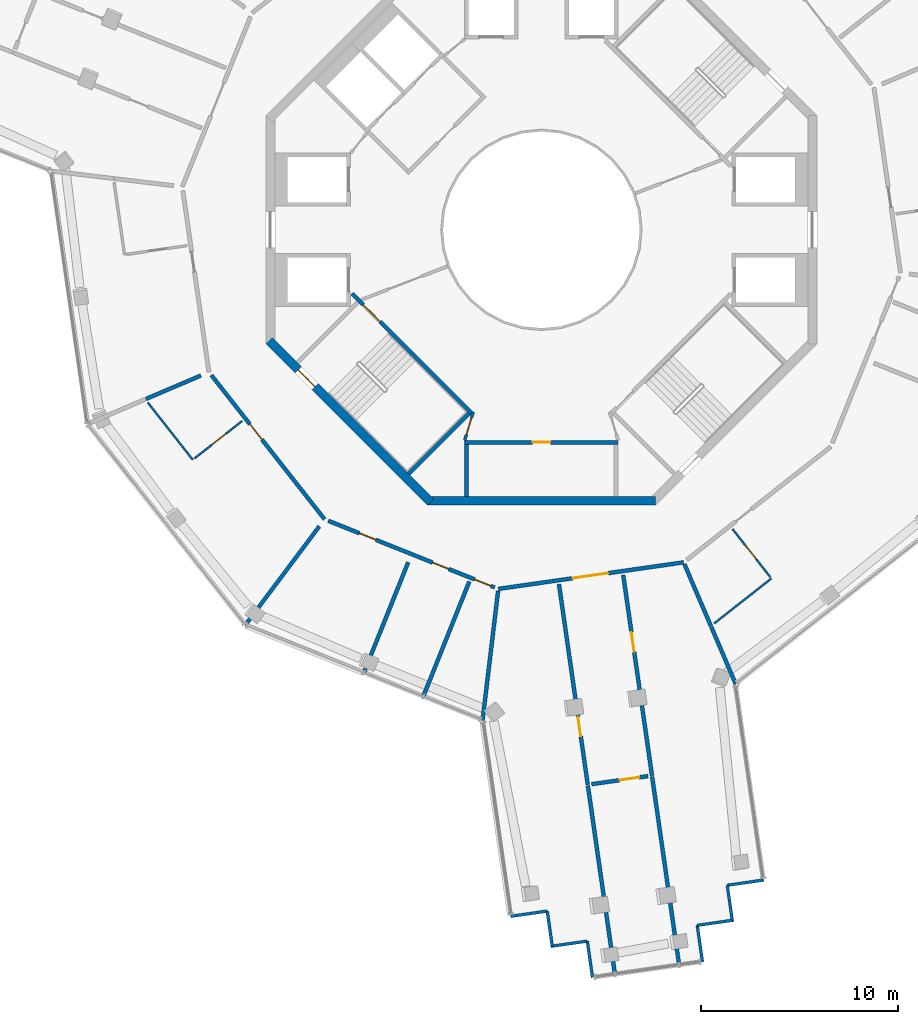
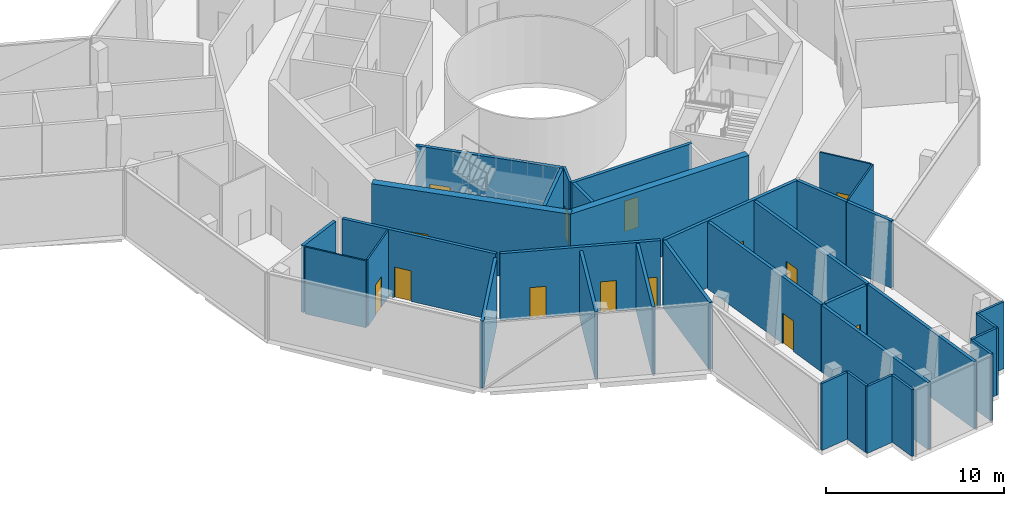
# One storey, part 10 of 19: 34 walls, 14 doors, 14 openings.
"""IFC4 building model written with IfcOpenShell, lengths in metres."""

from ifc_helpers import new_model, si_unit, direction, frame, frame_2d, origin, place, context, subcontext, project, spatial, rectangle, extrude, material, layer, layer_set, type_object, element, fill, save


model = new_model("IFC4")

# Units and contexts
model_context = context("Model", 3, precision=1e-05, world=origin(), true_north=direction((0.0, 1.0)))
body_context = subcontext(model_context, "Body", "Model", "MODEL_VIEW")
ifc_project = project(units=[si_unit("LENGTHUNIT", "METRE"), si_unit("AREAUNIT", "SQUARE_METRE"), si_unit("VOLUMEUNIT", "CUBIC_METRE"), si_unit("PLANEANGLEUNIT", "RADIAN"), si_unit("MASSUNIT", "GRAM", prefix="KILO")], contexts=[model_context])

# Site, building, storey
site_placement = place(None, origin())
site = spatial("IfcSite", under=ifc_project, at=site_placement, CompositionType="ELEMENT")
building_placement = place(site_placement, origin())
building = spatial("IfcBuilding", under=site, at=building_placement, Name="Verdalira Terraces Hotel", CompositionType="ELEMENT")
storey_placement = place(building_placement, frame((0.0, 0.0, 310.0)))
storey = spatial("IfcBuildingStorey", under=building, at=storey_placement, Name="L77", CompositionType="ELEMENT", Elevation=310.0)

# Wall
ifc_material_1 = material(Name="Moisture-resistant gypsum board partition")
ifc_layer_1 = layer(ifc_material_1, 0.10009765625)
ifc_layer_set_1 = layer_set([ifc_layer_1], Name="Bathroom partition 100 mm")
wall_type_1 = type_object("IfcWallType", Name="Bathroom partition 100 mm", PredefinedType="PARTITIONING", material=ifc_layer_set_1)
wall_1_placement = place(storey_placement, frame((-17.7229, -11.690186, 0.0), z_axis=(0.0, 0.0, 1.0), x_axis=(-0.617871038, 0.786279455, 0.0)))
element("IfcWall", 1, at=wall_1_placement, inside=storey, type_object=wall_type_1, Name="Bathroom partition", PredefinedType="PARTITIONING", context=body_context, shape_type="SweptSolid", body=[
    extrude(rectangle(XDim=3.703857, YDim=0.100098, at=frame_2d((1.852051, 0.0))), origin(), (0.0, 0.0, 1.0), 4.600098),
])

# Wall, opening, door
wall_2_placement = place(storey_placement, frame((-17.644287, -11.628418, 0.0), z_axis=(0.0, 0.0, 1.0), x_axis=(0.786301941, 0.617842421, 0.0)))
wall_2 = element("IfcWall", 2, at=wall_2_placement, inside=storey, type_object=wall_type_1, Name="Bathroom partition", PredefinedType="PARTITIONING", context=body_context, shape_type="SweptSolid", body=[
    extrude(rectangle(XDim=3.099854, YDim=0.100098, at=frame_2d((1.549805, 0.0))), origin(), (0.0, 0.0, 1.0), 4.600098),
])
opening_1_placement = place(wall_2_placement, frame((1.149902, 0.0, 0.0)))
opening_1 = element("IfcOpeningElement", 3, at=opening_1_placement, cuts=wall_2, Name="Opening L77-108", PredefinedType="OPENING", context=body_context, shape_type="SweptSolid", body=[
    extrude(rectangle(XDim=0.899902, YDim=2.100098, at=frame_2d((0.449951, 1.050049))), frame((0.0, 0.060059, 0.0), z_axis=(0.0, -1.0, 0.0), x_axis=(1.0, 0.0, 0.0)), (0.0, 0.0, 1.0), 0.120117),
])
ifc_material_2 = material(Name="Timber door", Category="wood")
door_type_1 = type_object("IfcDoorType", Name="Bathroom door 900 x 2100", OperationType="NOTDEFINED", PredefinedType="DOOR", material=ifc_material_2)
door_1_placement = place(opening_1_placement, origin())
door_1 = element("IfcDoor", 4, at=door_1_placement, inside=storey, type_object=door_type_1, Name="Bathroom door 7703", OperationType="SINGLE_SWING_LEFT", OverallHeight=2.10009765625, OverallWidth=0.89990234375, PredefinedType="DOOR", context=body_context, shape_type="SweptSolid", body=[
    extrude(rectangle(XDim=0.899902, YDim=2.100098, at=frame_2d((0.449951, 1.050049))), frame((0.0, 0.024902, 0.0), z_axis=(0.0, -1.0, 0.0), x_axis=(1.0, 0.0, 0.0)), (0.0, 0.0, 1.0), 0.050049),
])
fill(opening_1, door_1)

# Wall
wall_3_placement = place(storey_placement, frame((11.690186, -17.7229, 0.0), z_axis=(0.0, 0.0, 1.0), x_axis=(-0.786279455, -0.617871038, 0.0)))
element("IfcWall", 5, at=wall_3_placement, inside=storey, type_object=wall_type_1, Name="Bathroom partition", PredefinedType="PARTITIONING", context=body_context, shape_type="SweptSolid", body=[
    extrude(rectangle(XDim=3.703857, YDim=0.100098, at=frame_2d((1.852051, 0.0))), origin(), (0.0, 0.0, 1.0), 4.600098),
])

# Wall, opening, door
wall_4_placement = place(storey_placement, frame((11.628418, -17.644287, 0.0), z_axis=(0.0, 0.0, 1.0), x_axis=(-0.617842421, 0.786301941, 0.0)))
wall_4 = element("IfcWall", 6, at=wall_4_placement, inside=storey, type_object=wall_type_1, Name="Bathroom partition", PredefinedType="PARTITIONING", context=body_context, shape_type="SweptSolid", body=[
    extrude(rectangle(XDim=3.099854, YDim=0.100098, at=frame_2d((1.549805, 0.0))), origin(), (0.0, 0.0, 1.0), 4.600098),
])
opening_2_placement = place(wall_4_placement, frame((1.149902, 0.0, 0.0)))
opening_2 = element("IfcOpeningElement", 7, at=opening_2_placement, cuts=wall_4, Name="Opening L77-115", PredefinedType="OPENING", context=body_context, shape_type="SweptSolid", body=[
    extrude(rectangle(XDim=0.899902, YDim=2.100098, at=frame_2d((0.449951, 1.050049))), frame((0.0, 0.060059, 0.0), z_axis=(0.0, -1.0, 0.0), x_axis=(1.0, 0.0, 0.0)), (0.0, 0.0, 1.0), 0.120117),
])
door_2_placement = place(opening_2_placement, origin())
door_2 = element("IfcDoor", 8, at=door_2_placement, inside=storey, type_object=door_type_1, Name="Bathroom door 7706", OperationType="SINGLE_SWING_LEFT", OverallHeight=2.10009765625, OverallWidth=0.89990234375, PredefinedType="DOOR", context=body_context, shape_type="SweptSolid", body=[
    extrude(rectangle(XDim=0.899902, YDim=2.100098, at=frame_2d((0.449951, 1.050049))), frame((0.0, 0.024902, 0.0), z_axis=(0.0, -1.0, 0.0), x_axis=(1.0, 0.0, 0.0)), (0.0, 0.0, 1.0), 0.050049),
])
fill(opening_2, door_2)

ifc_material_3 = material(Name="Concrete C50", Category="concrete")
ifc_layer_2 = layer(ifc_material_3, 0.199951171875)
ifc_layer_set_2 = layer_set([ifc_layer_2], Name="Core RC wall 200 C50")
wall_type_2 = type_object("IfcWallType", Name="Core RC wall 200 C50", PredefinedType="SOLIDWALL", material=ifc_layer_set_2)
wall_5_placement = place(storey_placement, frame((-3.899902, -10.800049, 0.0), z_axis=(0.0, 0.0, 1.0), x_axis=(1.0, 0.0, 0.0)))
wall_5 = element("IfcWall", 9, at=wall_5_placement, inside=storey, type_object=wall_type_2, Name="L77 store front wall", PredefinedType="SOLIDWALL", context=body_context, shape_type="SweptSolid", body=[
    extrude(rectangle(XDim=7.799805, YDim=0.199951, at=frame_2d((3.899902, 0.0))), origin(), (0.0, 0.0, 1.0), 4.600098),
])
opening_3_placement = place(wall_5_placement, frame((3.449951, 0.0, 0.0)))
opening_3 = element("IfcOpeningElement", 10, at=opening_3_placement, cuts=wall_5, Name="Opening L77-801", PredefinedType="OPENING", context=body_context, shape_type="SweptSolid", body=[
    extrude(rectangle(XDim=0.899902, YDim=2.100098, at=frame_2d((0.449951, 1.050049))), frame((0.0, 0.109863, 0.0), z_axis=(0.0, -1.0, 0.0), x_axis=(1.0, 0.0, 0.0)), (0.0, 0.0, 1.0), 0.219971),
])
ifc_material_4 = material(Name="Steel fire door", Category="steel")
door_type_2 = type_object("IfcDoorType", Name="Core room door 900 x 2100", OperationType="NOTDEFINED", PredefinedType="DOOR", material=ifc_material_4)
door_3_placement = place(opening_3_placement, origin())
door_3 = element("IfcDoor", 11, at=door_3_placement, inside=storey, type_object=door_type_2, Name="Store door L77 SS", OperationType="SINGLE_SWING_LEFT", OverallHeight=2.10009765625, OverallWidth=0.89990234375, PredefinedType="DOOR", context=body_context, shape_type="SweptSolid", body=[
    extrude(rectangle(XDim=0.899902, YDim=2.100098, at=frame_2d((0.449951, 1.050049))), frame((0.0, 0.024902, 0.0), z_axis=(0.0, -1.0, 0.0), x_axis=(1.0, 0.0, 0.0)), (0.0, 0.0, 1.0), 0.050049),
])
fill(opening_3, door_3)

# Wall
wall_6_placement = place(storey_placement, frame((-3.800049, -10.899902, 0.0), z_axis=(0.0, 0.0, 1.0), x_axis=(0.0, -1.0, 0.0)))
element("IfcWall", 12, at=wall_6_placement, inside=storey, type_object=wall_type_2, Name="L77 store side wall", PredefinedType="SOLIDWALL", context=body_context, shape_type="SweptSolid", body=[
    extrude(rectangle(XDim=2.650146, YDim=0.199951, at=frame_2d((1.325195, 0.0))), origin(), (0.0, 0.0, 1.0), 4.600098),
])

# Wall, opening, door
wall_7_placement = place(storey_placement, frame((-3.5354, -9.33374, 0.0), z_axis=(0.0, 0.0, 1.0), x_axis=(-0.707120946, 0.707092617, 0.0)))
wall_7 = element("IfcWall", 13, at=wall_7_placement, inside=storey, type_object=wall_type_2, Name="L77 stair ST2 front wall", PredefinedType="SOLIDWALL", context=body_context, shape_type="SweptSolid", body=[
    extrude(rectangle(XDim=8.61792, YDim=0.199951, at=frame_2d((4.309082, 0.0))), origin(), (0.0, 0.0, 1.0), 4.600098),
])
opening_4_placement = place(wall_7_placement, frame((6.600098, 0.0, 0.0)))
opening_4 = element("IfcOpeningElement", 14, at=opening_4_placement, cuts=wall_7, Name="Opening L77-811", PredefinedType="OPENING", context=body_context, shape_type="SweptSolid", body=[
    extrude(rectangle(XDim=1.199951, YDim=2.100098, at=frame_2d((0.600098, 1.050049))), frame((0.0, 0.109863, 0.0), z_axis=(0.0, -1.0, 0.0), x_axis=(1.0, 0.0, 0.0)), (0.0, 0.0, 1.0), 0.219971),
])
ifc_material_5 = material(Name="Steel fire door", Category="steel")
door_type_3 = type_object("IfcDoorType", Name="Stair door 1200 x 2100", OperationType="NOTDEFINED", PredefinedType="DOOR", material=ifc_material_5)
door_4_placement = place(opening_4_placement, origin())
door_4 = element("IfcDoor", 15, at=door_4_placement, inside=storey, type_object=door_type_3, Name="Stair door ST2 L77", OperationType="SINGLE_SWING_RIGHT", OverallHeight=2.10009765625, OverallWidth=1.199951171875, PredefinedType="DOOR", context=body_context, shape_type="SweptSolid", body=[
    extrude(rectangle(XDim=1.199951, YDim=2.100098, at=frame_2d((0.600098, 1.050049))), frame((0.0, 0.024902, 0.0), z_axis=(0.0, -1.0, 0.0), x_axis=(1.0, 0.0, 0.0)), (0.0, 0.0, 1.0), 0.050049),
])
fill(opening_4, door_4)

# Wall
wall_8_placement = place(storey_placement, frame((-3.677002, -9.33374, 0.0), z_axis=(0.0, 0.0, 1.0), x_axis=(-0.707106781, -0.707106781, 0.0)))
element("IfcWall", 16, at=wall_8_placement, inside=storey, type_object=wall_type_2, Name="L77 stair ST2 end wall 2", PredefinedType="SOLIDWALL", context=body_context, shape_type="SweptSolid", body=[
    extrude(rectangle(XDim=4.350098, YDim=0.199951, at=frame_2d((2.175049, 0.0))), origin(), (0.0, 0.0, 1.0), 4.600098),
])

# Wall, opening, door
ifc_material_6 = material(Name="Gypsum board partition")
ifc_layer_3 = layer(ifc_material_6, 0.14990234375)
ifc_layer_set_3 = layer_set([ifc_layer_3], Name="Core partition 150 mm")
wall_type_3 = type_object("IfcWallType", Name="Core partition 150 mm", PredefinedType="PARTITIONING", material=ifc_layer_set_3)
wall_9_placement = place(storey_placement, frame((-3.464844, -9.263184, 0.0), z_axis=(0.0, 0.0, 1.0), x_axis=(-0.289808785, -0.957084567, 0.0)))
wall_9 = element("IfcWall", 17, at=wall_9_placement, inside=storey, type_object=wall_type_3, Name="Room partition L77", PredefinedType="PARTITIONING", context=body_context, shape_type="SweptSolid", body=[
    extrude(rectangle(XDim=1.501221, YDim=0.149902, at=frame_2d((0.750488, 0.0))), origin(), (0.0, 0.0, 1.0), 4.600098),
])
opening_5_placement = place(wall_9_placement, frame((0.300781, 0.0, 0.0)))
opening_5 = element("IfcOpeningElement", 18, at=opening_5_placement, cuts=wall_9, Name="Opening L77-822", PredefinedType="OPENING", context=body_context, shape_type="SweptSolid", body=[
    extrude(rectangle(XDim=0.899902, YDim=2.100098, at=frame_2d((0.449951, 1.050049))), frame((0.0, 0.084961, 0.0), z_axis=(0.0, -1.0, 0.0), x_axis=(1.0, 0.0, 0.0)), (0.0, 0.0, 1.0), 0.169922),
])
door_5_placement = place(opening_5_placement, origin())
door_5 = element("IfcDoor", 19, at=door_5_placement, inside=storey, type_object=door_type_2, Name="Door L77 room5", OperationType="SINGLE_SWING_LEFT", OverallHeight=2.10009765625, OverallWidth=0.89990234375, PredefinedType="DOOR", context=body_context, shape_type="SweptSolid", body=[
    extrude(rectangle(XDim=0.899902, YDim=2.100098, at=frame_2d((0.449951, 1.050049))), frame((0.0, 0.024902, 0.0), z_axis=(0.0, -1.0, 0.0), x_axis=(1.0, 0.0, 0.0)), (0.0, 0.0, 1.0), 0.050049),
])
fill(opening_5, door_5)

ifc_material_7 = material(Name="Concrete C50", Category="concrete")
ifc_layer_4 = layer(ifc_material_7, 0.449951171875)
ifc_layer_set_4 = layer_set([ifc_layer_4], Name="Core wall 450 C50")
wall_type_4 = type_object("IfcWallType", Name="Core wall 450 C50", PredefinedType="SHEAR", material=ifc_layer_set_4)
wall_10_placement = place(storey_placement, frame((-13.84082, -5.639893, 0.0), z_axis=(0.0, 0.0, 1.0), x_axis=(0.707106781, -0.707106781, 0.0)))
wall_10 = element("IfcWall", 20, at=wall_10_placement, inside=storey, type_object=wall_type_4, Name="Core wall CW-L77-6", PredefinedType="SHEAR", context=body_context, shape_type="SweptSolid", body=[
    extrude(rectangle(XDim=11.5979, YDim=0.449951, at=frame_2d((5.798828, 0.0))), origin(), (0.0, 0.0, 1.0), 5.0),
])
opening_6_placement = place(wall_10_placement, frame((2.099121, 0.0, 0.0)))
opening_6 = element("IfcOpeningElement", 21, at=opening_6_placement, cuts=wall_10, Name="Opening L77-817", PredefinedType="OPENING", context=body_context, shape_type="SweptSolid", body=[
    extrude(rectangle(XDim=1.199951, YDim=2.100098, at=frame_2d((0.600098, 1.050049))), frame((0.0, 0.234863, 0.0), z_axis=(0.0, -1.0, 0.0), x_axis=(1.0, 0.0, 0.0)), (0.0, 0.0, 1.0), 0.469971),
])
door_6_placement = place(opening_6_placement, origin())
door_6 = element("IfcDoor", 22, at=door_6_placement, inside=storey, type_object=door_type_3, Name="Stair exit door ST2 L77", OperationType="SINGLE_SWING_LEFT", OverallHeight=2.10009765625, OverallWidth=1.199951171875, PredefinedType="DOOR", context=body_context, shape_type="SweptSolid", body=[
    extrude(rectangle(XDim=1.199951, YDim=2.100098, at=frame_2d((0.600098, 1.050049))), frame((0.0, 0.024902, 0.0), z_axis=(0.0, -1.0, 0.0), x_axis=(1.0, 0.0, 0.0)), (0.0, 0.0, 1.0), 0.050049),
])
fill(opening_6, door_6)

# Walls
wall_11_placement = place(storey_placement, frame((-5.799072, -13.774902, 0.0), z_axis=(0.0, 0.0, 1.0), x_axis=(1.0, 0.0, 0.0)))
element("IfcWall", 23, at=wall_11_placement, inside=storey, type_object=wall_type_4, Name="Core wall CW-L77-7", PredefinedType="SHEAR", context=body_context, shape_type="SweptSolid", body=[
    extrude(rectangle(XDim=11.598145, YDim=0.449951, at=frame_2d((5.799072, 0.0))), origin(), (0.0, 0.0, 1.0), 5.0),
])
ifc_material_8 = material(Name="Fire-rated gypsum board wall")
ifc_layer_5 = layer(ifc_material_8, 0.199951171875)
ifc_layer_set_5 = layer_set([ifc_layer_5], Name="Demising wall 200 mm")
wall_type_5 = type_object("IfcWallType", Name="Demising wall 200 mm", PredefinedType="SOLIDWALL", material=ifc_layer_set_5)
wall_12_placement = place(storey_placement, frame((-17.314453, -7.406494, 0.0), z_axis=(0.0, 0.0, 1.0), x_axis=(-0.919391183, -0.393344446, 0.0)))
element("IfcWall", 24, at=wall_12_placement, inside=storey, type_object=wall_type_5, Name="Demising wall", PredefinedType="SOLIDWALL", context=body_context, shape_type="SweptSolid", body=[
    extrude(rectangle(XDim=3.024658, YDim=0.199951, at=frame_2d((1.512207, 0.0))), origin(), (0.0, 0.0, 1.0), 4.600098),
])

# Wall, opening, door
wall_13_placement = place(storey_placement, frame((2.356201, -28.211426, 0.0), z_axis=(0.0, 0.0, 1.0), x_axis=(-0.141932284, 0.989876369, 0.0)))
wall_13 = element("IfcWall", 25, at=wall_13_placement, inside=storey, type_object=wall_type_5, Name="Demising wall", PredefinedType="SOLIDWALL", context=body_context, shape_type="SweptSolid", body=[
    extrude(rectangle(XDim=10.301758, YDim=0.199951, at=frame_2d((5.150879, 0.0))), origin(), (0.0, 0.0, 1.0), 4.600098),
])
opening_7_placement = place(wall_13_placement, frame((2.5, 0.0, 0.0)))
opening_7 = element("IfcOpeningElement", 26, at=opening_7_placement, cuts=wall_13, Name="Opening L77-111", PredefinedType="OPENING", context=body_context, shape_type="SweptSolid", body=[
    extrude(rectangle(XDim=1.0, YDim=2.100098, at=frame_2d((0.5, 1.050049))), frame((0.0, 0.109863, 0.0), z_axis=(0.0, -1.0, 0.0), x_axis=(1.0, 0.0, 0.0)), (0.0, 0.0, 1.0), 0.219971),
])
ifc_material_9 = material(Name="Timber fire door", Category="wood")
door_type_4 = type_object("IfcDoorType", Name="Public room door 1000 x 2100", OperationType="NOTDEFINED", PredefinedType="DOOR", material=ifc_material_9)
door_7_placement = place(opening_7_placement, origin())
door_7 = element("IfcDoor", 27, at=door_7_placement, inside=storey, type_object=door_type_4, Name="Public room door 7705", OperationType="SINGLE_SWING_LEFT", OverallHeight=2.10009765625, OverallWidth=1.0, PredefinedType="DOOR", context=body_context, shape_type="SweptSolid", body=[
    extrude(rectangle(XDim=1.0, YDim=2.100098, at=frame_2d((0.5, 1.050049))), frame((0.0, 0.024902, 0.0), z_axis=(0.0, -1.0, 0.0), x_axis=(1.0, 0.0, 0.0)), (0.0, 0.0, 1.0), 0.050049),
])
fill(opening_7, door_7)

# Wall
wall_14_placement = place(storey_placement, frame((2.362793, -28.25708, 0.0), z_axis=(0.0, 0.0, 1.0), x_axis=(0.14194671, -0.989874301, 0.0)))
element("IfcWall", 28, at=wall_14_placement, inside=storey, type_object=wall_type_5, Name="Demising wall", PredefinedType="SOLIDWALL", context=body_context, shape_type="SweptSolid", body=[
    extrude(rectangle(XDim=9.693604, YDim=0.199951, at=frame_2d((4.84668, 0.0))), origin(), (0.0, 0.0, 1.0), 4.600098),
])

# Wall, opening, door
wall_15_placement = place(storey_placement, frame((5.422363, -27.769775, 0.0), z_axis=(0.0, 0.0, 1.0), x_axis=(-0.989871834, -0.141963915, 0.0)))
wall_15 = element("IfcWall", 29, at=wall_15_placement, inside=storey, type_object=wall_type_5, Name="Demising wall", PredefinedType="SOLIDWALL", context=body_context, shape_type="SweptSolid", body=[
    extrude(rectangle(XDim=2.897705, YDim=0.199951, at=frame_2d((1.44873, 0.0))), origin(), (0.0, 0.0, 1.0), 4.600098),
])
opening_8_placement = place(wall_15_placement, frame((0.449951, 0.0, 0.0)))
opening_8 = element("IfcOpeningElement", 30, at=opening_8_placement, cuts=wall_15, Name="Opening L77-113", PredefinedType="OPENING", context=body_context, shape_type="SweptSolid", body=[
    extrude(rectangle(XDim=1.0, YDim=2.100098, at=frame_2d((0.5, 1.050049))), frame((0.0, 0.109863, 0.0), z_axis=(0.0, -1.0, 0.0), x_axis=(1.0, 0.0, 0.0)), (0.0, 0.0, 1.0), 0.219971),
])
door_8_placement = place(opening_8_placement, origin())
door_8 = element("IfcDoor", 31, at=door_8_placement, inside=storey, type_object=door_type_4, Name="Public room door 7705", OperationType="SINGLE_SWING_LEFT", OverallHeight=2.10009765625, OverallWidth=1.0, PredefinedType="DOOR", context=body_context, shape_type="SweptSolid", body=[
    extrude(rectangle(XDim=1.0, YDim=2.100098, at=frame_2d((0.5, 1.050049))), frame((0.0, 0.024902, 0.0), z_axis=(0.0, -1.0, 0.0), x_axis=(1.0, 0.0, 0.0)), (0.0, 0.0, 1.0), 0.050049),
])
fill(opening_8, door_8)

wall_16_placement = place(storey_placement, frame((4.158447, -17.545654, 0.0), z_axis=(0.0, 0.0, 1.0), x_axis=(0.141928955, -0.989876847, 0.0)))
wall_16 = element("IfcWall", 32, at=wall_16_placement, inside=storey, type_object=wall_type_5, Name="Demising wall", PredefinedType="SOLIDWALL", context=body_context, shape_type="SweptSolid", body=[
    extrude(rectangle(XDim=10.302002, YDim=0.199951, at=frame_2d((5.150879, 0.0))), origin(), (0.0, 0.0, 1.0), 4.600098),
])
opening_9_placement = place(wall_16_placement, frame((2.949951, 0.0, 0.0)))
opening_9 = element("IfcOpeningElement", 33, at=opening_9_placement, cuts=wall_16, Name="Opening L77-112", PredefinedType="OPENING", context=body_context, shape_type="SweptSolid", body=[
    extrude(rectangle(XDim=1.0, YDim=2.100098, at=frame_2d((0.5, 1.050049))), frame((0.0, 0.109863, 0.0), z_axis=(0.0, -1.0, 0.0), x_axis=(1.0, 0.0, 0.0)), (0.0, 0.0, 1.0), 0.219971),
])
door_9_placement = place(opening_9_placement, origin())
door_9 = element("IfcDoor", 34, at=door_9_placement, inside=storey, type_object=door_type_4, Name="Public room door 7705", OperationType="SINGLE_SWING_LEFT", OverallHeight=2.10009765625, OverallWidth=1.0, PredefinedType="DOOR", context=body_context, shape_type="SweptSolid", body=[
    extrude(rectangle(XDim=1.0, YDim=2.100098, at=frame_2d((0.5, 1.050049))), frame((0.0, 0.024902, 0.0), z_axis=(0.0, -1.0, 0.0), x_axis=(1.0, 0.0, 0.0)), (0.0, 0.0, 1.0), 0.050049),
])
fill(opening_9, door_9)

# Walls
wall_17_placement = place(storey_placement, frame((7.003174, -37.384521, 0.0), z_axis=(0.0, 0.0, 1.0), x_axis=(-0.14194671, 0.989874301, 0.0)))
element("IfcWall", 35, at=wall_17_placement, inside=storey, type_object=wall_type_5, Name="Demising wall", PredefinedType="SOLIDWALL", context=body_context, shape_type="SweptSolid", body=[
    extrude(rectangle(XDim=9.693604, YDim=0.199951, at=frame_2d((4.84668, 0.0))), origin(), (0.0, 0.0, 1.0), 4.600098),
])
wall_18_placement = place(storey_placement, frame((7.271484, -16.998291, 0.0), z_axis=(0.0, 0.0, 1.0), x_axis=(0.393290003, -0.919414473, 0.0)))
element("IfcWall", 36, at=wall_18_placement, inside=storey, type_object=wall_type_5, Name="Demising wall", PredefinedType="SOLIDWALL", context=body_context, shape_type="SweptSolid", body=[
    extrude(rectangle(XDim=3.418457, YDim=0.199951, at=frame_2d((1.709229, 0.0))), origin(), (0.0, 0.0, 1.0), 4.600098),
])
wall_19_placement = place(storey_placement, frame((8.634033, -20.183594, 0.0), z_axis=(0.0, 0.0, 1.0), x_axis=(0.393322695, -0.919400488, 0.0)))
element("IfcWall", 37, at=wall_19_placement, inside=storey, type_object=wall_type_5, Name="Demising wall", PredefinedType="SOLIDWALL", context=body_context, shape_type="SweptSolid", body=[
    extrude(rectangle(XDim=3.161377, YDim=0.199951, at=frame_2d((1.580566, 0.0))), origin(), (0.0, 0.0, 1.0), 4.600098),
])

# Wall, opening, door
ifc_material_10 = material(Name="Fire-rated gypsum board wall")
ifc_layer_6 = layer(ifc_material_10, 0.199951171875)
ifc_layer_set_6 = layer_set([ifc_layer_6], Name="Guest corridor wall 200 mm")
wall_type_6 = type_object("IfcWallType", Name="Guest corridor wall 200 mm", PredefinedType="SOLIDWALL", material=ifc_layer_set_6)
wall_20_placement = place(storey_placement, frame((-11.023193, -14.713379, 0.0), z_axis=(0.0, 0.0, 1.0), x_axis=(-0.617864372, 0.786284693, 0.0)))
wall_20 = element("IfcWall", 38, at=wall_20_placement, inside=storey, type_object=wall_type_6, Name="Guest corridor wall", PredefinedType="SOLIDWALL", context=body_context, shape_type="SweptSolid", body=[
    extrude(rectangle(XDim=9.316406, YDim=0.199951, at=frame_2d((4.658203, 0.0))), origin(), (0.0, 0.0, 1.0), 4.600098),
])
opening_10_placement = place(wall_20_placement, frame((5.149902, 0.0, 0.0)))
opening_10 = element("IfcOpeningElement", 39, at=opening_10_placement, cuts=wall_20, Name="Opening L77-107", PredefinedType="OPENING", context=body_context, shape_type="SweptSolid", body=[
    extrude(rectangle(XDim=1.0, YDim=2.100098, at=frame_2d((0.5, 1.050049))), frame((0.0, 0.109863, 0.0), z_axis=(0.0, -1.0, 0.0), x_axis=(1.0, 0.0, 0.0)), (0.0, 0.0, 1.0), 0.219971),
])
ifc_material_11 = material(Name="Timber fire door", Category="wood")
door_type_5 = type_object("IfcDoorType", Name="Guest entry door 1000 x 2100", OperationType="NOTDEFINED", PredefinedType="DOOR", material=ifc_material_11)
door_10_placement = place(opening_10_placement, origin())
door_10 = element("IfcDoor", 40, at=door_10_placement, inside=storey, type_object=door_type_5, Name="Guest entry door 7703", OperationType="SINGLE_SWING_LEFT", OverallHeight=2.10009765625, OverallWidth=1.0, PredefinedType="DOOR", context=body_context, shape_type="SweptSolid", body=[
    extrude(rectangle(XDim=1.0, YDim=2.100098, at=frame_2d((0.5, 1.050049))), frame((0.0, 0.024902, 0.0), z_axis=(0.0, -1.0, 0.0), x_axis=(1.0, 0.0, 0.0)), (0.0, 0.0, 1.0), 0.050049),
])
fill(opening_10, door_10)

# Wall, openings, doors
wall_21_placement = place(storey_placement, frame((-2.375244, -18.179443, 0.0), z_axis=(0.0, 0.0, 1.0), x_axis=(-0.928230848, 0.372004694, 0.0)))
wall_21 = element("IfcWall", 41, at=wall_21_placement, inside=storey, type_object=wall_type_6, Name="Guest corridor wall", PredefinedType="SOLIDWALL", context=body_context, shape_type="SweptSolid", body=[
    extrude(rectangle(XDim=9.116455, YDim=0.199951, at=frame_2d((4.558105, 0.0))), origin(), (0.0, 0.0, 1.0), 4.600098),
])
opening_11_placement = place(wall_21_placement, frame((6.508301, 0.0, 0.0)))
opening_11 = element("IfcOpeningElement", 42, at=opening_11_placement, cuts=wall_21, Name="Opening L77-109", PredefinedType="OPENING", context=body_context, shape_type="SweptSolid", body=[
    extrude(rectangle(XDim=0.899902, YDim=2.100098, at=frame_2d((0.449951, 1.050049))), frame((0.0, 0.109863, 0.0), z_axis=(0.0, -1.0, 0.0), x_axis=(1.0, 0.0, 0.0)), (0.0, 0.0, 1.0), 0.219971),
])
opening_12_placement = place(wall_21_placement, frame((2.508301, 0.0, 0.0)))
opening_12 = element("IfcOpeningElement", 43, at=opening_12_placement, cuts=wall_21, Name="Opening L77-129", PredefinedType="OPENING", context=body_context, shape_type="SweptSolid", body=[
    extrude(rectangle(XDim=0.899902, YDim=2.100098, at=frame_2d((0.449951, 1.050049))), frame((0.0, 0.109863, 0.0), z_axis=(0.0, -1.0, 0.0), x_axis=(1.0, 0.0, 0.0)), (0.0, 0.0, 1.0), 0.219971),
])
opening_13_placement = place(wall_21_placement, frame((0.199951, 0.0, 0.0)))
opening_13 = element("IfcOpeningElement", 44, at=opening_13_placement, cuts=wall_21, Name="Opening L77-130", PredefinedType="OPENING", context=body_context, shape_type="SweptSolid", body=[
    extrude(rectangle(XDim=0.899902, YDim=2.100098, at=frame_2d((0.449951, 1.050049))), frame((0.0, 0.109863, 0.0), z_axis=(0.0, -1.0, 0.0), x_axis=(1.0, 0.0, 0.0)), (0.0, 0.0, 1.0), 0.219971),
])
ifc_material_12 = material(Name="Steel fire door", Category="steel")
door_type_6 = type_object("IfcDoorType", Name="Service room door 900 x 2100", OperationType="NOTDEFINED", PredefinedType="DOOR", material=ifc_material_12)
door_11_placement = place(opening_11_placement, origin())
door_11 = element("IfcDoor", 45, at=door_11_placement, inside=storey, type_object=door_type_6, Name="Service room door 7704", OperationType="SINGLE_SWING_LEFT", OverallHeight=2.10009765625, OverallWidth=0.89990234375, PredefinedType="DOOR", context=body_context, shape_type="SweptSolid", body=[
    extrude(rectangle(XDim=0.899902, YDim=2.100098, at=frame_2d((0.449951, 1.050049))), frame((0.0, 0.024902, 0.0), z_axis=(0.0, -1.0, 0.0), x_axis=(1.0, 0.0, 0.0)), (0.0, 0.0, 1.0), 0.050049),
])
fill(opening_11, door_11)
ifc_material_13 = material(Name="Timber fire door", Category="wood")
door_type_7 = type_object("IfcDoorType", Name="Toilet door 900 x 2100", OperationType="NOTDEFINED", PredefinedType="DOOR", material=ifc_material_13)
door_12_placement = place(opening_12_placement, origin())
door_12 = element("IfcDoor", 46, at=door_12_placement, inside=storey, type_object=door_type_7, Name="Toilet door 7714", OperationType="SINGLE_SWING_LEFT", OverallHeight=2.10009765625, OverallWidth=0.89990234375, PredefinedType="DOOR", context=body_context, shape_type="SweptSolid", body=[
    extrude(rectangle(XDim=0.899902, YDim=2.100098, at=frame_2d((0.449951, 1.050049))), frame((0.0, 0.024902, 0.0), z_axis=(0.0, -1.0, 0.0), x_axis=(1.0, 0.0, 0.0)), (0.0, 0.0, 1.0), 0.050049),
])
fill(opening_12, door_12)
door_13_placement = place(opening_13_placement, origin())
door_13 = element("IfcDoor", 47, at=door_13_placement, inside=storey, type_object=door_type_7, Name="Toilet door 7715", OperationType="SINGLE_SWING_LEFT", OverallHeight=2.10009765625, OverallWidth=0.89990234375, PredefinedType="DOOR", context=body_context, shape_type="SweptSolid", body=[
    extrude(rectangle(XDim=0.899902, YDim=2.100098, at=frame_2d((0.449951, 1.050049))), frame((0.0, 0.024902, 0.0), z_axis=(0.0, -1.0, 0.0), x_axis=(1.0, 0.0, 0.0)), (0.0, 0.0, 1.0), 0.050049),
])
fill(opening_13, door_13)

# Wall, opening, door
wall_22_placement = place(storey_placement, frame((7.230713, -16.903076, 0.0), z_axis=(0.0, 0.0, 1.0), x_axis=(-0.989874961, -0.141942107, 0.0)))
wall_22 = element("IfcWall", 48, at=wall_22_placement, inside=storey, type_object=wall_type_6, Name="Guest corridor wall", PredefinedType="SOLIDWALL", context=body_context, shape_type="SweptSolid", body=[
    extrude(rectangle(XDim=9.516846, YDim=0.199951, at=frame_2d((4.758301, 0.0))), origin(), (0.0, 0.0, 1.0), 4.600098),
])
opening_14_placement = place(wall_22_placement, frame((3.882324, 0.0, 0.0)))
opening_14 = element("IfcOpeningElement", 49, at=opening_14_placement, cuts=wall_22, Name="Opening L77-110", PredefinedType="OPENING", context=body_context, shape_type="SweptSolid", body=[
    extrude(rectangle(XDim=1.800049, YDim=2.100098, at=frame_2d((0.899902, 1.050049))), frame((0.0, 0.109863, 0.0), z_axis=(0.0, -1.0, 0.0), x_axis=(1.0, 0.0, 0.0)), (0.0, 0.0, 1.0), 0.219971),
])
ifc_material_14 = material(Name="Timber fire door", Category="wood")
door_type_8 = type_object("IfcDoorType", Name="Public room double door 1800 x 2100", OperationType="NOTDEFINED", PredefinedType="DOOR", material=ifc_material_14)
door_14_placement = place(opening_14_placement, origin())
door_14 = element("IfcDoor", 50, at=door_14_placement, inside=storey, type_object=door_type_8, Name="Public room double door 7705", OperationType="DOUBLE_DOOR_SINGLE_SWING", OverallHeight=2.10009765625, OverallWidth=1.800048828125, PredefinedType="DOOR", context=body_context, shape_type="SweptSolid", body=[
    extrude(rectangle(XDim=1.800049, YDim=2.100098, at=frame_2d((0.899902, 1.050049))), frame((0.0, 0.024902, 0.0), z_axis=(0.0, -1.0, 0.0), x_axis=(1.0, 0.0, 0.0)), (0.0, 0.0, 1.0), 0.050049),
])
fill(opening_14, door_14)

# Walls
ifc_material_15 = material(Name="Fire-rated gypsum board wall")
ifc_layer_7 = layer(ifc_material_15, 0.199951171875)
ifc_layer_set_7 = layer_set([ifc_layer_7], Name="Service room wall 200 mm")
wall_type_7 = type_object("IfcWallType", Name="Service room wall 200 mm", PredefinedType="SOLIDWALL", material=ifc_layer_set_7)
wall_23_placement = place(storey_placement, frame((-15.057861, -20.099121, 0.0), z_axis=(0.0, 0.0, 1.0), x_axis=(0.599558411, 0.800331001, 0.0)))
element("IfcWall", 51, at=wall_23_placement, inside=storey, type_object=wall_type_7, Name="Service room wall", PredefinedType="SOLIDWALL", context=body_context, shape_type="SweptSolid", body=[
    extrude(rectangle(XDim=6.281982, YDim=0.199951, at=frame_2d((3.141113, 0.0))), origin(), (0.0, 0.0, 1.0), 4.600098),
])
wall_24_placement = place(storey_placement, frame((-6.772705, -16.898926, 0.0), z_axis=(0.0, 0.0, 1.0), x_axis=(-0.372023456, -0.928223329, 0.0)))
element("IfcWall", 52, at=wall_24_placement, inside=storey, type_object=wall_type_7, Name="Service room wall", PredefinedType="SOLIDWALL", context=body_context, shape_type="SweptSolid", body=[
    extrude(rectangle(XDim=6.05249, YDim=0.199951, at=frame_2d((3.026367, 0.0))), origin(), (0.0, 0.0, 1.0), 4.600098),
])
wall_25_placement = place(storey_placement, frame((-3.664062, -17.878418, 0.0), z_axis=(0.0, 0.0, 1.0), x_axis=(-0.37201864, -0.928225259, 0.0)))
element("IfcWall", 53, at=wall_25_placement, inside=storey, type_object=wall_type_7, Name="Service room wall", PredefinedType="SOLIDWALL", context=body_context, shape_type="SweptSolid", body=[
    extrude(rectangle(XDim=6.300049, YDim=0.199951, at=frame_2d((3.149902, 0.0))), origin(), (0.0, 0.0, 1.0), 4.600098),
])
wall_26_placement = place(storey_placement, frame((-2.990967, -24.935303, 0.0), z_axis=(0.0, 0.0, 1.0), x_axis=(0.119090008, 0.992883462, 0.0)))
element("IfcWall", 54, at=wall_26_placement, inside=storey, type_object=wall_type_7, Name="Service room wall", PredefinedType="SOLIDWALL", context=body_context, shape_type="SweptSolid", body=[
    extrude(rectangle(XDim=6.625732, YDim=0.199951, at=frame_2d((3.312988, 0.0))), origin(), (0.0, 0.0, 1.0), 4.600098),
])
ifc_material_16 = material(Name="Terracotta cladding", Category="masonry")
ifc_layer_8 = layer(ifc_material_16, 0.14990234375)
ifc_layer_set_8 = layer_set([ifc_layer_8], Name="Terracotta clad wall 150")
wall_type_8 = type_object("IfcWallType", Name="Terracotta clad wall 150", PredefinedType="SOLIDWALL", material=ifc_layer_set_8)
wall_27_placement = place(storey_placement, frame((-1.562256, -34.900146, 0.0), z_axis=(0.0, 0.0, 1.0), x_axis=(0.989879066, 0.141913479, 0.0)))
element("IfcWall", 55, at=wall_27_placement, inside=storey, type_object=wall_type_8, Name="Terracotta cladding wall", PredefinedType="SOLIDWALL", context=body_context, shape_type="SweptSolid", body=[
    extrude(rectangle(XDim=1.875244, YDim=0.149902, at=frame_2d((0.9375, 0.0))), origin(), (0.0, 0.0, 1.0), 4.600098),
])
wall_28_placement = place(storey_placement, frame((0.293945, -34.634033, 0.0), z_axis=(0.0, 0.0, 1.0), x_axis=(0.141877084, -0.989884283, 0.0)))
element("IfcWall", 56, at=wall_28_placement, inside=storey, type_object=wall_type_8, Name="Terracotta cladding wall", PredefinedType="SOLIDWALL", context=body_context, shape_type="SweptSolid", body=[
    extrude(rectangle(XDim=1.800049, YDim=0.149902, at=frame_2d((0.899902, 0.0))), origin(), (0.0, 0.0, 1.0), 4.600098),
])
wall_29_placement = place(storey_placement, frame((0.475098, -36.42627, 0.0), z_axis=(0.0, 0.0, 1.0), x_axis=(0.989876443, 0.141931771, 0.0)))
element("IfcWall", 57, at=wall_29_placement, inside=storey, type_object=wall_type_8, Name="Terracotta cladding wall", PredefinedType="SOLIDWALL", context=body_context, shape_type="SweptSolid", body=[
    extrude(rectangle(XDim=1.875, YDim=0.149902, at=frame_2d((0.9375, 0.0))), origin(), (0.0, 0.0, 1.0), 4.600098),
])
wall_30_placement = place(storey_placement, frame((2.331055, -36.160156, 0.0), z_axis=(0.0, 0.0, 1.0), x_axis=(0.141913479, -0.989879066, 0.0)))
element("IfcWall", 58, at=wall_30_placement, inside=storey, type_object=wall_type_8, Name="Terracotta cladding wall", PredefinedType="SOLIDWALL", context=body_context, shape_type="SweptSolid", body=[
    extrude(rectangle(XDim=1.875244, YDim=0.149902, at=frame_2d((0.9375, 0.0))), origin(), (0.0, 0.0, 1.0), 4.600098),
])
wall_31_placement = place(storey_placement, frame((8.189941, -37.214355, 0.0), z_axis=(0.0, 0.0, 1.0), x_axis=(-0.141931771, 0.989876443, 0.0)))
element("IfcWall", 59, at=wall_31_placement, inside=storey, type_object=wall_type_8, Name="Terracotta cladding wall", PredefinedType="SOLIDWALL", context=body_context, shape_type="SweptSolid", body=[
    extrude(rectangle(XDim=1.875, YDim=0.149902, at=frame_2d((0.9375, 0.0))), origin(), (0.0, 0.0, 1.0), 4.600098),
])
wall_32_placement = place(storey_placement, frame((7.923828, -35.358398, 0.0), z_axis=(0.0, 0.0, 1.0), x_axis=(0.989865225, 0.142009988, 0.0)))
element("IfcWall", 60, at=wall_32_placement, inside=storey, type_object=wall_type_8, Name="Terracotta cladding wall", PredefinedType="SOLIDWALL", context=body_context, shape_type="SweptSolid", body=[
    extrude(rectangle(XDim=1.800049, YDim=0.149902, at=frame_2d((0.899902, 0.0))), origin(), (0.0, 0.0, 1.0), 4.600098),
])
for number, where, z_axis, x_axis, name in (
    (61, (9.716309, -35.177002, 0.0), (0.0, 0.0, 1.0), (-0.141931771, 0.989876443, 0.0), "Terracotta cladding wall"),
    (62, (9.450195, -33.321045, 0.0), (0.0, 0.0, 1.0), (0.989876443, 0.141931771, 0.0), "Terracotta cladding wall"),
):
    element("IfcWall", number, at=place(storey_placement, frame(where, z_axis=z_axis, x_axis=x_axis)), inside=storey, type_object=wall_type_8, Name=name, PredefinedType="SOLIDWALL", context=body_context, shape_type="SweptSolid", body=[
        extrude(rectangle(XDim=1.875, YDim=0.149902, at=frame_2d((0.9375, 0.0))), origin(), (0.0, 0.0, 1.0), 4.600098),
    ])

save(model, "model.ifc")
